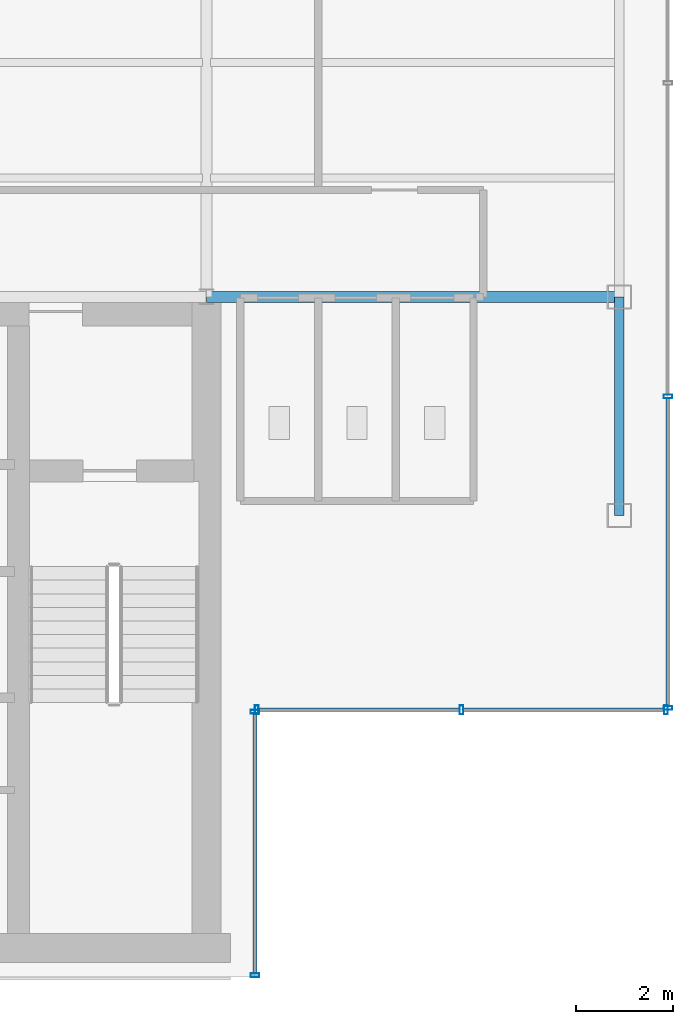
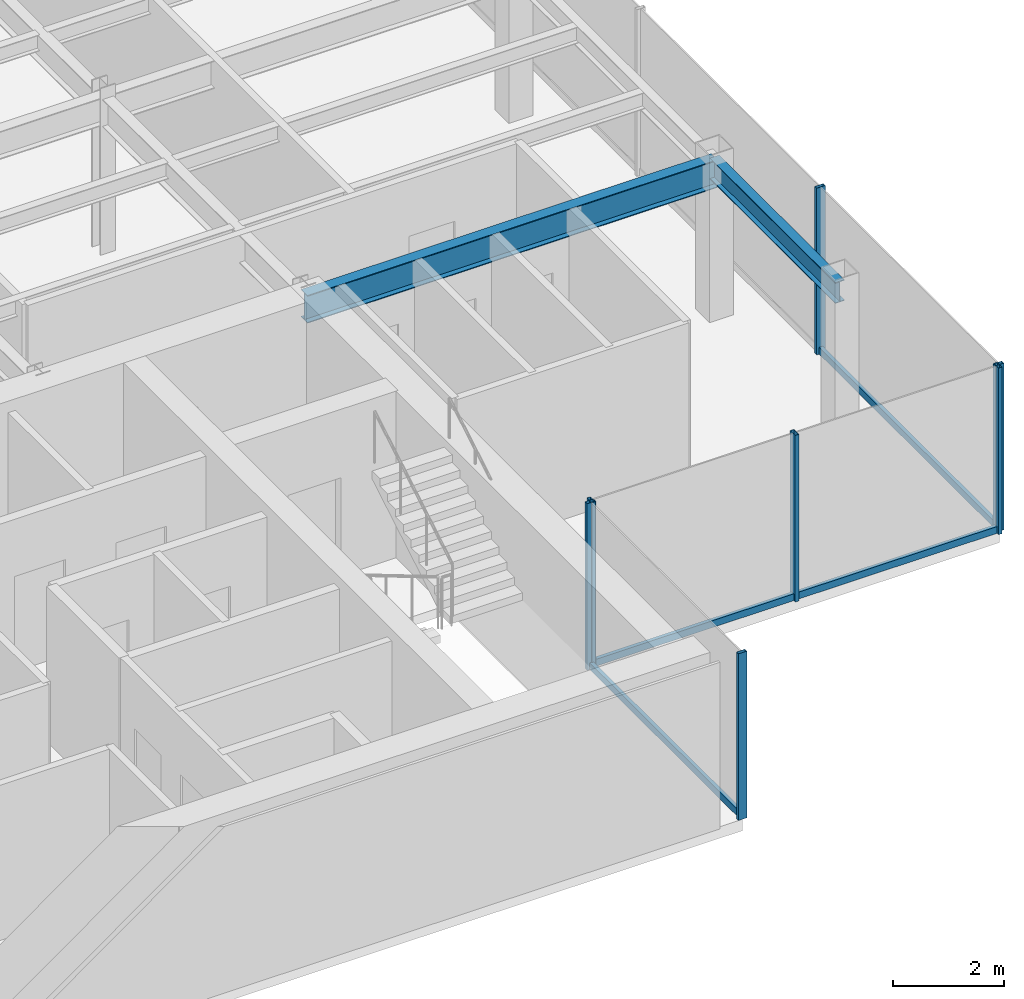
# One storey, part 9 of 22: 11 members, 2 beams, 3 elements without a shape of their own.
"""IFC4 building model written with IfcOpenShell, lengths in metres."""

from ifc_helpers import new_model, si_unit, derived_unit, direction, frame, origin, origin_2d, place, context, subcontext, project, spatial, hollow_rectangle, i_section, extrude, source, transform, mapped, material, material_profile, profile_set, type_object, element, aggregate, save


model = new_model("IFC4")

# Units and contexts
model_context = context("Model", 3, precision=1e-05, world=origin(), true_north=direction((0.0, 1.0)))
body_context = subcontext(model_context, "Body", "Model", "MODEL_VIEW")
ifc_project = project(units=[si_unit("LENGTHUNIT", "METRE"), si_unit("AREAUNIT", "SQUARE_METRE"), si_unit("VOLUMEUNIT", "CUBIC_METRE"), si_unit("PLANEANGLEUNIT", "RADIAN"), si_unit("MASSUNIT", "GRAM", prefix="KILO"), derived_unit("THERMALTRANSMITTANCEUNIT", [(si_unit("POWERUNIT", "WATT"), 1), (si_unit("LENGTHUNIT", "METRE"), -2), (si_unit("THERMODYNAMICTEMPERATUREUNIT", "KELVIN"), -1)])], contexts=[model_context])

# Site, building, storey
site_placement = place(None, origin())
site = spatial("IfcSite", under=ifc_project, at=site_placement, CompositionType="ELEMENT")
building_placement = place(site_placement, origin())
building = spatial("IfcBuilding", under=site, at=building_placement, Name="Skarnbrae Concourse Arena and Tower", CompositionType="ELEMENT")
storey_placement = place(building_placement, frame((0.0, 0.0, 203.199951171875)))
storey = spatial("IfcBuildingStorey", under=building, at=storey_placement, Name="L52", CompositionType="ELEMENT", Elevation=203.199951171875)

# Beams
ifc_material_1 = material(Name="Steel CSA G40.21 350W", Category="steel")
ifc_material_profile_1 = material_profile(ifc_material_1, i_section(OverallWidth=0.22802734375, OverallDepth=0.60791015625, WebThickness=0.01123046875, FlangeThickness=0.017333984375, at=origin_2d()), Name="W610X113")
ifc_profile_set_1 = profile_set([ifc_material_profile_1], Name="Steel CSA G40.21 350W")
beam_type_1 = type_object("IfcBeamType", Name="BM-GIRD-W610X113", PredefinedType="BEAM", material=ifc_profile_set_1)
shared_shape_1 = source(origin(), body_context, "Body", "SweptSolid", [
    extrude(i_section(OverallWidth=0.22802734375, OverallDepth=0.60791015625, WebThickness=0.01123046875, FlangeThickness=0.017333984375, at=origin_2d()), origin(), (0.0, 0.0, 1.0), 8.5),
])
beam_1_placement = place(storey_placement, frame((33.5, 14.0, 3.095947265625), z_axis=(1.0, 0.0, 0.0), x_axis=(0.0, 1.0, 0.0)))
element("IfcBeam", 1, at=beam_1_placement, inside=storey, type_object=beam_type_1, Name="L52 Primary E-W girder Y14.0-6", PredefinedType="BEAM", context=body_context, shape_type="MappedRepresentation", body=[
    mapped(shared_shape_1, transform((0.0, 0.0, 0.0))),
])
ifc_material_profile_2 = material_profile(ifc_material_1, i_section(OverallWidth=0.19091796875, OverallDepth=0.4599609375, WebThickness=0.010009765625, FlangeThickness=0.01611328125, at=origin_2d()), Name="W460X82")
ifc_profile_set_2 = profile_set([ifc_material_profile_2], Name="Steel CSA G40.21 350W")
beam_type_2 = type_object("IfcBeamType", Name="BM-SPAN-W460X82", PredefinedType="SPANDREL", material=ifc_profile_set_2)
shared_shape_2 = source(origin(), body_context, "Body", "SweptSolid", [
    extrude(i_section(OverallWidth=0.19091796875, OverallDepth=0.4599609375, WebThickness=0.010009765625, FlangeThickness=0.01611328125, at=origin_2d()), origin(), (0.0, 0.0, 1.0), 4.5),
])
beam_2_placement = place(storey_placement, frame((42.0, 9.5, 3.170166015625), z_axis=(0.0, 1.0, 0.0), x_axis=(-1.0, 0.0, 0.0)))
element("IfcBeam", 2, at=beam_2_placement, inside=storey, type_object=beam_type_2, Name="L52 Perimeter spandrel X42.0-1", PredefinedType="SPANDREL", context=body_context, shape_type="MappedRepresentation", body=[
    mapped(shared_shape_2, transform((0.0, 0.0, 0.0))),
])

# Curtain wall, member
ifc_material_2 = material(Name="Bronze anodised aluminium 6063-T6", Category="aluminium")
curtain_wall_type = type_object("IfcCurtainWallType", Name="CW-SYS-05-HIGHZONE", PredefinedType="USERDEFINED", material=ifc_material_2)
curtain_wall_1_placement = place(storey_placement, origin())
curtain_wall_1 = element("IfcCurtainWall", 3, at=curtain_wall_1_placement, inside=storey, type_object=curtain_wall_type, Name="L52 Unitised curtain wall CW-L52-E02", ObjectType="UNITISED CURTAIN WALL", PredefinedType="USERDEFINED")
ifc_material_profile_3 = material_profile(ifc_material_2, hollow_rectangle(XDim=0.074951171875, YDim=0.14990234375, WallThickness=0.00390625, at=origin_2d()), Name="ALU-TRAN-75X150")
ifc_profile_set_3 = profile_set([ifc_material_profile_3], Name="Bronze anodised aluminium 6063-T6")
member_type_1 = type_object("IfcMemberType", Name="CWT-CW-05", PredefinedType="USERDEFINED", material=ifc_profile_set_3)
shared_shape_3 = source(origin(), body_context, "Body", "SweptSolid", [
    extrude(hollow_rectangle(XDim=0.074951171875, YDim=0.14990234375, WallThickness=0.00390625, at=origin_2d()), origin(), (0.0, 0.0, 1.0), 5.35009765625),
])
member_1_placement = place(storey_placement, frame((34.5, 0.074951171875, 0.074951171875), z_axis=(0.0, 1.0, 0.0), x_axis=(-1.0, 0.0, 0.0)))
member_1 = element("IfcMember", 4, at=member_1_placement, type_object=member_type_1, Name="CW-L52-E02 Transom 1", ObjectType="TRANSOM", PredefinedType="USERDEFINED", context=body_context, shape_type="MappedRepresentation", body=[
    mapped(shared_shape_3, transform((0.0, 0.0, 0.0))),
])

# Curtain wall, members
curtain_wall_2_placement = place(storey_placement, origin())
curtain_wall_2 = element("IfcCurtainWall", 5, at=curtain_wall_2_placement, inside=storey, type_object=curtain_wall_type, Name="L52 Unitised curtain wall CW-L52-E03", ObjectType="UNITISED CURTAIN WALL", PredefinedType="USERDEFINED")
shared_shape_4 = source(origin(), body_context, "Body", "SweptSolid", [
    extrude(hollow_rectangle(XDim=0.074951171875, YDim=0.14990234375, WallThickness=0.00390625, at=origin_2d()), origin(), (0.0, 0.0, 1.0), 4.137451171875),
])
member_2_placement = place(storey_placement, frame((34.574951171875, 5.5, 0.074951171875), z_axis=(1.0, 0.0, 0.0), x_axis=(0.0, 1.0, 0.0)))
member_2 = element("IfcMember", 6, at=member_2_placement, type_object=member_type_1, Name="CW-L52-E03 Transom 1", ObjectType="TRANSOM", PredefinedType="USERDEFINED", context=body_context, shape_type="MappedRepresentation", body=[
    mapped(shared_shape_4, transform((0.0, 0.0, 0.0))),
])
member_3_placement = place(storey_placement, frame((38.78759765625, 5.5, 0.074951171875), z_axis=(1.0, 0.0, 0.0), x_axis=(0.0, 1.0, 0.0)))
member_3 = element("IfcMember", 7, at=member_3_placement, type_object=member_type_1, Name="CW-L52-E03 Transom 2", ObjectType="TRANSOM", PredefinedType="USERDEFINED", context=body_context, shape_type="MappedRepresentation", body=[
    mapped(shared_shape_4, transform((0.0, 0.0, 0.0))),
])

# Curtain wall, member
curtain_wall_3_placement = place(storey_placement, origin())
curtain_wall_3 = element("IfcCurtainWall", 8, at=curtain_wall_3_placement, inside=storey, type_object=curtain_wall_type, Name="L52 Unitised curtain wall CW-L52-E04", ObjectType="UNITISED CURTAIN WALL", PredefinedType="USERDEFINED")
shared_shape_5 = source(origin(), body_context, "Body", "SweptSolid", [
    extrude(hollow_rectangle(XDim=0.074951171875, YDim=0.14990234375, WallThickness=0.00390625, at=origin_2d()), origin(), (0.0, 0.0, 1.0), 6.337646484375),
])
member_4_placement = place(storey_placement, frame((43.0, 5.574951171875, 0.074951171875), z_axis=(0.0, 1.0, 0.0), x_axis=(-1.0, 0.0, 0.0)))
member_4 = element("IfcMember", 9, at=member_4_placement, type_object=member_type_1, Name="CW-L52-E04 Transom 1", ObjectType="TRANSOM", PredefinedType="USERDEFINED", context=body_context, shape_type="MappedRepresentation", body=[
    mapped(shared_shape_5, transform((0.0, 0.0, 0.0))),
])

# Member
ifc_material_profile_4 = material_profile(ifc_material_2, hollow_rectangle(XDim=0.074951171875, YDim=0.179931640625, WallThickness=0.00390625, at=origin_2d()), Name="ALU-MULL-75X180")
ifc_profile_set_4 = profile_set([ifc_material_profile_4], Name="Bronze anodised aluminium 6063-T6")
member_type_2 = type_object("IfcMemberType", Name="CWM-CW-05", PredefinedType="MULLION", material=ifc_profile_set_4)
shared_shape_6 = source(origin(), body_context, "Body", "SweptSolid", [
    extrude(hollow_rectangle(XDim=0.074951171875, YDim=0.179931640625, WallThickness=0.00390625, at=origin_2d()), origin(), (0.0, 0.0, 1.0), 3.650146484375),
])
member_5_placement = place(storey_placement, frame((34.5, 0.03759765625, 0.0), z_axis=(0.0, 0.0, 1.0), x_axis=(0.0, 1.0, 0.0)))
member_5 = element("IfcMember", 10, at=member_5_placement, type_object=member_type_2, Name="CW-L52-E02 Mullion 1", PredefinedType="MULLION", context=body_context, shape_type="MappedRepresentation", body=[
    mapped(shared_shape_6, transform((0.0, 0.0, 0.0))),
])

member_6_placement = place(storey_placement, frame((34.5, 5.46240234375, 0.0), z_axis=(0.0, 0.0, 1.0), x_axis=(0.0, 1.0, 0.0)))
member_6 = element("IfcMember", 11, at=member_6_placement, type_object=member_type_2, Name="CW-L52-E02 Mullion 2", PredefinedType="MULLION", context=body_context, shape_type="MappedRepresentation", body=[
    mapped(shared_shape_6, transform((0.0, 0.0, 0.0))),
])

aggregate(curtain_wall_1, [member_5, member_6, member_1])

member_7_placement = place(storey_placement, frame((34.53759765625, 5.5, 0.0), z_axis=(0.0, 0.0, 1.0), x_axis=(1.0, 0.0, 0.0)))
member_7 = element("IfcMember", 12, at=member_7_placement, type_object=member_type_2, Name="CW-L52-E03 Mullion 1", PredefinedType="MULLION", context=body_context, shape_type="MappedRepresentation", body=[
    mapped(shared_shape_6, transform((0.0, 0.0, 0.0))),
])

member_8_placement = place(storey_placement, frame((38.75, 5.5, 0.0), z_axis=(0.0, 0.0, 1.0), x_axis=(1.0, 0.0, 0.0)))
member_8 = element("IfcMember", 13, at=member_8_placement, type_object=member_type_2, Name="CW-L52-E03 Mullion 2", PredefinedType="MULLION", context=body_context, shape_type="MappedRepresentation", body=[
    mapped(shared_shape_6, transform((0.0, 0.0, 0.0))),
])

member_9_placement = place(storey_placement, frame((42.96240234375, 5.5, 0.0), z_axis=(0.0, 0.0, 1.0), x_axis=(1.0, 0.0, 0.0)))
member_9 = element("IfcMember", 14, at=member_9_placement, type_object=member_type_2, Name="CW-L52-E03 Mullion 3", PredefinedType="MULLION", context=body_context, shape_type="MappedRepresentation", body=[
    mapped(shared_shape_6, transform((0.0, 0.0, 0.0))),
])

aggregate(curtain_wall_2, [member_7, member_8, member_9, member_2, member_3])

member_10_placement = place(storey_placement, frame((43.0, 5.53759765625, 0.0), z_axis=(0.0, 0.0, 1.0), x_axis=(0.0, 1.0, 0.0)))
member_10 = element("IfcMember", 15, at=member_10_placement, type_object=member_type_2, Name="CW-L52-E04 Mullion 1", PredefinedType="MULLION", context=body_context, shape_type="MappedRepresentation", body=[
    mapped(shared_shape_6, transform((0.0, 0.0, 0.0))),
])

member_11_placement = place(storey_placement, frame((43.0, 11.949951171875, 0.0), z_axis=(0.0, 0.0, 1.0), x_axis=(0.0, 1.0, 0.0)))
member_11 = element("IfcMember", 16, at=member_11_placement, type_object=member_type_2, Name="CW-L52-E04 Mullion 2", PredefinedType="MULLION", context=body_context, shape_type="MappedRepresentation", body=[
    mapped(shared_shape_6, transform((0.0, 0.0, 0.0))),
])

aggregate(curtain_wall_3, [member_10, member_11, member_4])

save(model, "model.ifc")
